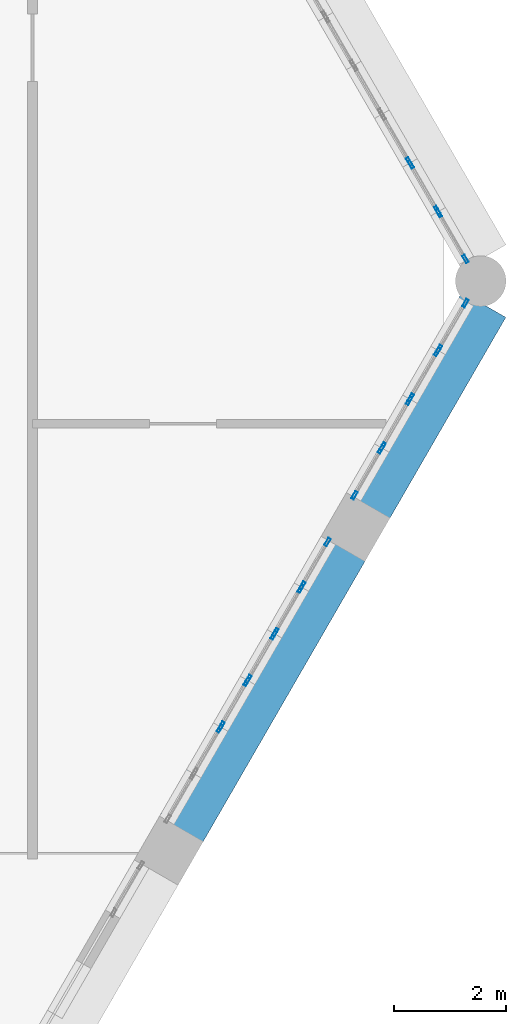
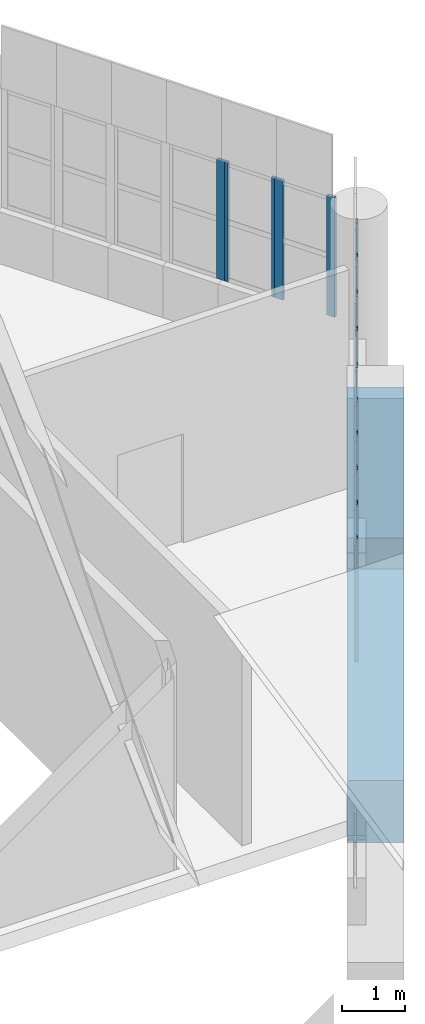
# One storey, part 10 of 25: 22 members, 2 beams, 12 elements without a shape of their own.
"""IFC4 building model written with IfcOpenShell, lengths in metres."""

from ifc_helpers import new_model, si_unit, direction, frame, origin, origin_2d, place, context, subcontext, project, spatial, rectangle, hollow_rectangle, extrude, material, material_profile, profile_set, type_object, element, aggregate, save


model = new_model("IFC4")

# Units and contexts
model_context = context("Model", 3, precision=1e-05, world=origin(), true_north=direction((0.0, 1.0)))
body_context = subcontext(model_context, "Body", "Model", "MODEL_VIEW")
ifc_project = project(units=[si_unit("LENGTHUNIT", "METRE"), si_unit("AREAUNIT", "SQUARE_METRE"), si_unit("VOLUMEUNIT", "CUBIC_METRE"), si_unit("PLANEANGLEUNIT", "RADIAN"), si_unit("MASSUNIT", "GRAM", prefix="KILO")], contexts=[model_context])

# Site, building, storey
site_placement = place(None, origin())
site = spatial("IfcSite", under=ifc_project, at=site_placement, CompositionType="ELEMENT")
building_placement = place(site_placement, origin())
building = spatial("IfcBuilding", under=site, at=building_placement, Name="Ostrander Bayou Hotel Tower", CompositionType="ELEMENT")
storey_placement = place(building_placement, frame((0.0, 0.0, 275.0)))
storey = spatial("IfcBuildingStorey", under=building, at=storey_placement, Name="L68", CompositionType="ELEMENT", Elevation=275.0)

# Curtain wall, member
ifc_material_1 = material(Name="Aluminium and clear glass", Category="aluminium")
curtain_wall_type = type_object("IfcCurtainWallType", Name="CW-CROWN glazed wall", PredefinedType="NOTDEFINED", material=ifc_material_1)
curtain_wall_1_placement = place(storey_placement, origin())
curtain_wall_1 = element("IfcCurtainWall", 1, at=curtain_wall_1_placement, inside=storey, type_object=curtain_wall_type, Name="CW-CROWN L68:SE-2-2", PredefinedType="NOTDEFINED")
ifc_material_2 = material(Name="Aluminium", Category="aluminium")
ifc_material_profile_1 = material_profile(ifc_material_2, hollow_rectangle(XDim=0.050048828125, YDim=0.14990234375, WallThickness=0.00390625, at=origin_2d()))
ifc_profile_set_1 = profile_set([ifc_material_profile_1], Name="Aluminium")
member_type = type_object("IfcMemberType", Name="CW-CR mullion 50 x 150 mm", PredefinedType="MULLION", material=ifc_profile_set_1)
member_1_placement = place(storey_placement, frame((13.837890625, -9.132080078125, 1.0), z_axis=(0.0, 0.0, 1.0), x_axis=(-0.866022491007, 0.500005045044, 0.0)))
member_1 = element("IfcMember", 2, at=member_1_placement, type_object=member_type, Name="CW-CROWN mullion 2", PredefinedType="MULLION", context=body_context, shape_type="SweptSolid", body=[
    extrude(hollow_rectangle(XDim=0.050048828125, YDim=0.14990234375, WallThickness=0.00390625, at=origin_2d()), origin(), (0.0, 0.0, 1.0), 2.300048828125),
])
aggregate(curtain_wall_1, [member_1])

# Curtain wall, members
curtain_wall_2_placement = place(storey_placement, origin())
curtain_wall_2 = element("IfcCurtainWall", 3, at=curtain_wall_2_placement, inside=storey, type_object=curtain_wall_type, Name="CW-CROWN L68:SE-2-3", PredefinedType="NOTDEFINED")
member_2_placement = place(storey_placement, frame((13.867919921875, -9.080322265625, 1.0), z_axis=(0.0, 0.0, 1.0), x_axis=(-0.866022491007, 0.500005045044, 0.0)))
member_2 = element("IfcMember", 4, at=member_2_placement, type_object=member_type, Name="CW-CROWN mullion 1", PredefinedType="MULLION", context=body_context, shape_type="SweptSolid", body=[
    extrude(hollow_rectangle(XDim=0.050048828125, YDim=0.14990234375, WallThickness=0.00390625, at=origin_2d()), origin(), (0.0, 0.0, 1.0), 2.300048828125),
])
member_3_placement = place(storey_placement, frame((14.317626953125, -8.301025390625, 1.0), z_axis=(0.0, 0.0, 1.0), x_axis=(-0.866022491007, 0.500005045044, 0.0)))
member_3 = element("IfcMember", 5, at=member_3_placement, type_object=member_type, Name="CW-CROWN mullion 2", PredefinedType="MULLION", context=body_context, shape_type="SweptSolid", body=[
    extrude(hollow_rectangle(XDim=0.050048828125, YDim=0.14990234375, WallThickness=0.00390625, at=origin_2d()), origin(), (0.0, 0.0, 1.0), 2.300048828125),
])
aggregate(curtain_wall_2, [member_2, member_3])

curtain_wall_3_placement = place(storey_placement, origin())
curtain_wall_3 = element("IfcCurtainWall", 6, at=curtain_wall_3_placement, inside=storey, type_object=curtain_wall_type, Name="CW-CROWN L68:SE-2-4", PredefinedType="NOTDEFINED")
member_4_placement = place(storey_placement, frame((14.34765625, -8.2490234375, 1.0), z_axis=(0.0, 0.0, 1.0), x_axis=(-0.866022491007, 0.500005045044, 0.0)))
member_4 = element("IfcMember", 7, at=member_4_placement, type_object=member_type, Name="CW-CROWN mullion 1", PredefinedType="MULLION", context=body_context, shape_type="SweptSolid", body=[
    extrude(hollow_rectangle(XDim=0.050048828125, YDim=0.14990234375, WallThickness=0.00390625, at=origin_2d()), origin(), (0.0, 0.0, 1.0), 2.300048828125),
])
member_5_placement = place(storey_placement, frame((14.797607421875, -7.4697265625, 1.0), z_axis=(0.0, 0.0, 1.0), x_axis=(-0.866022491007, 0.500005045044, 0.0)))
member_5 = element("IfcMember", 8, at=member_5_placement, type_object=member_type, Name="CW-CROWN mullion 2", PredefinedType="MULLION", context=body_context, shape_type="SweptSolid", body=[
    extrude(hollow_rectangle(XDim=0.050048828125, YDim=0.14990234375, WallThickness=0.00390625, at=origin_2d()), origin(), (0.0, 0.0, 1.0), 2.300048828125),
])
aggregate(curtain_wall_3, [member_4, member_5])

curtain_wall_4_placement = place(storey_placement, origin())
curtain_wall_4 = element("IfcCurtainWall", 9, at=curtain_wall_4_placement, inside=storey, type_object=curtain_wall_type, Name="CW-CROWN L68:SE-2-5", PredefinedType="NOTDEFINED")
member_6_placement = place(storey_placement, frame((14.82763671875, -7.417724609375, 1.0), z_axis=(0.0, 0.0, 1.0), x_axis=(-0.866022491007, 0.500005045044, 0.0)))
member_6 = element("IfcMember", 10, at=member_6_placement, type_object=member_type, Name="CW-CROWN mullion 1", PredefinedType="MULLION", context=body_context, shape_type="SweptSolid", body=[
    extrude(hollow_rectangle(XDim=0.050048828125, YDim=0.14990234375, WallThickness=0.00390625, at=origin_2d()), origin(), (0.0, 0.0, 1.0), 2.300048828125),
])
member_7_placement = place(storey_placement, frame((15.277587890625, -6.638671875, 1.0), z_axis=(0.0, 0.0, 1.0), x_axis=(-0.866022491007, 0.500005045044, 0.0)))
member_7 = element("IfcMember", 11, at=member_7_placement, type_object=member_type, Name="CW-CROWN mullion 2", PredefinedType="MULLION", context=body_context, shape_type="SweptSolid", body=[
    extrude(hollow_rectangle(XDim=0.050048828125, YDim=0.14990234375, WallThickness=0.00390625, at=origin_2d()), origin(), (0.0, 0.0, 1.0), 2.300048828125),
])
aggregate(curtain_wall_4, [member_6, member_7])

curtain_wall_5_placement = place(storey_placement, origin())
curtain_wall_5 = element("IfcCurtainWall", 12, at=curtain_wall_5_placement, inside=storey, type_object=curtain_wall_type, Name="CW-CROWN L68:SE-2-6", PredefinedType="NOTDEFINED")
member_8_placement = place(storey_placement, frame((15.3076171875, -6.586669921875, 1.0), z_axis=(0.0, 0.0, 1.0), x_axis=(-0.866022491007, 0.500005045044, 0.0)))
member_8 = element("IfcMember", 13, at=member_8_placement, type_object=member_type, Name="CW-CROWN mullion 1", PredefinedType="MULLION", context=body_context, shape_type="SweptSolid", body=[
    extrude(hollow_rectangle(XDim=0.050048828125, YDim=0.14990234375, WallThickness=0.00390625, at=origin_2d()), origin(), (0.0, 0.0, 1.0), 2.300048828125),
])
member_9_placement = place(storey_placement, frame((15.75732421875, -5.807373046875, 1.0), z_axis=(0.0, 0.0, 1.0), x_axis=(-0.866022491007, 0.500005045044, 0.0)))
member_9 = element("IfcMember", 14, at=member_9_placement, type_object=member_type, Name="CW-CROWN mullion 2", PredefinedType="MULLION", context=body_context, shape_type="SweptSolid", body=[
    extrude(hollow_rectangle(XDim=0.050048828125, YDim=0.14990234375, WallThickness=0.00390625, at=origin_2d()), origin(), (0.0, 0.0, 1.0), 2.300048828125),
])
aggregate(curtain_wall_5, [member_8, member_9])

curtain_wall_6_placement = place(storey_placement, origin())
curtain_wall_6 = element("IfcCurtainWall", 15, at=curtain_wall_6_placement, inside=storey, type_object=curtain_wall_type, Name="CW-CROWN L68:SE-3-1", PredefinedType="NOTDEFINED")
member_10_placement = place(storey_placement, frame((16.2373046875, -4.97607421875, 1.0), z_axis=(0.0, 0.0, 1.0), x_axis=(-0.866021344042, 0.500007031615, 0.0)))
member_10 = element("IfcMember", 16, at=member_10_placement, type_object=member_type, Name="CW-CROWN mullion 1", PredefinedType="MULLION", context=body_context, shape_type="SweptSolid", body=[
    extrude(hollow_rectangle(XDim=0.050048828125, YDim=0.14990234375, WallThickness=0.00390625, at=origin_2d()), origin(), (0.0, 0.0, 1.0), 2.300048828125),
])
member_11_placement = place(storey_placement, frame((16.709228515625, -4.15869140625, 1.0), z_axis=(0.0, 0.0, 1.0), x_axis=(-0.866021344042, 0.500007031615, 0.0)))
member_11 = element("IfcMember", 17, at=member_11_placement, type_object=member_type, Name="CW-CROWN mullion 2", PredefinedType="MULLION", context=body_context, shape_type="SweptSolid", body=[
    extrude(hollow_rectangle(XDim=0.050048828125, YDim=0.14990234375, WallThickness=0.00390625, at=origin_2d()), origin(), (0.0, 0.0, 1.0), 2.300048828125),
])
aggregate(curtain_wall_6, [member_10, member_11])

curtain_wall_7_placement = place(storey_placement, origin())
curtain_wall_7 = element("IfcCurtainWall", 18, at=curtain_wall_7_placement, inside=storey, type_object=curtain_wall_type, Name="CW-CROWN L68:SE-3-2", PredefinedType="NOTDEFINED")
member_12_placement = place(storey_placement, frame((16.7392578125, -4.106689453125, 1.0), z_axis=(0.0, 0.0, 1.0), x_axis=(-0.866046247237, 0.499963896343, 0.0)))
member_12 = element("IfcMember", 19, at=member_12_placement, type_object=member_type, Name="CW-CROWN mullion 1", PredefinedType="MULLION", context=body_context, shape_type="SweptSolid", body=[
    extrude(hollow_rectangle(XDim=0.050048828125, YDim=0.14990234375, WallThickness=0.00390625, at=origin_2d()), origin(), (0.0, 0.0, 1.0), 2.300048828125),
])
member_13_placement = place(storey_placement, frame((17.211181640625, -3.289306640625, 1.0), z_axis=(0.0, 0.0, 1.0), x_axis=(-0.866046247237, 0.499963896343, 0.0)))
member_13 = element("IfcMember", 20, at=member_13_placement, type_object=member_type, Name="CW-CROWN mullion 2", PredefinedType="MULLION", context=body_context, shape_type="SweptSolid", body=[
    extrude(hollow_rectangle(XDim=0.050048828125, YDim=0.14990234375, WallThickness=0.00390625, at=origin_2d()), origin(), (0.0, 0.0, 1.0), 2.300048828125),
])
aggregate(curtain_wall_7, [member_12, member_13])

curtain_wall_8_placement = place(storey_placement, origin())
curtain_wall_8 = element("IfcCurtainWall", 21, at=curtain_wall_8_placement, inside=storey, type_object=curtain_wall_type, Name="CW-CROWN L68:SE-3-3", PredefinedType="NOTDEFINED")
member_14_placement = place(storey_placement, frame((17.2412109375, -3.2373046875, 1.0), z_axis=(0.0, 0.0, 1.0), x_axis=(-0.866021344042, 0.500007031615, 0.0)))
member_14 = element("IfcMember", 22, at=member_14_placement, type_object=member_type, Name="CW-CROWN mullion 1", PredefinedType="MULLION", context=body_context, shape_type="SweptSolid", body=[
    extrude(hollow_rectangle(XDim=0.050048828125, YDim=0.14990234375, WallThickness=0.00390625, at=origin_2d()), origin(), (0.0, 0.0, 1.0), 2.300048828125),
])
member_15_placement = place(storey_placement, frame((17.713134765625, -2.419921875, 1.0), z_axis=(0.0, 0.0, 1.0), x_axis=(-0.866021344042, 0.500007031615, 0.0)))
member_15 = element("IfcMember", 23, at=member_15_placement, type_object=member_type, Name="CW-CROWN mullion 2", PredefinedType="MULLION", context=body_context, shape_type="SweptSolid", body=[
    extrude(hollow_rectangle(XDim=0.050048828125, YDim=0.14990234375, WallThickness=0.00390625, at=origin_2d()), origin(), (0.0, 0.0, 1.0), 2.300048828125),
])
aggregate(curtain_wall_8, [member_14, member_15])

curtain_wall_9_placement = place(storey_placement, origin())
curtain_wall_9 = element("IfcCurtainWall", 24, at=curtain_wall_9_placement, inside=storey, type_object=curtain_wall_type, Name="CW-CROWN L68:SE-3-4", PredefinedType="NOTDEFINED")
member_16_placement = place(storey_placement, frame((17.7431640625, -2.367919921875, 1.0), z_axis=(0.0, 0.0, 1.0), x_axis=(-0.866046247237, 0.499963896343, 0.0)))
member_16 = element("IfcMember", 25, at=member_16_placement, type_object=member_type, Name="CW-CROWN mullion 1", PredefinedType="MULLION", context=body_context, shape_type="SweptSolid", body=[
    extrude(hollow_rectangle(XDim=0.050048828125, YDim=0.14990234375, WallThickness=0.00390625, at=origin_2d()), origin(), (0.0, 0.0, 1.0), 2.300048828125),
])
member_17_placement = place(storey_placement, frame((18.215087890625, -1.550537109375, 1.0), z_axis=(0.0, 0.0, 1.0), x_axis=(-0.866046247237, 0.499963896343, 0.0)))
member_17 = element("IfcMember", 26, at=member_17_placement, type_object=member_type, Name="CW-CROWN mullion 2", PredefinedType="MULLION", context=body_context, shape_type="SweptSolid", body=[
    extrude(hollow_rectangle(XDim=0.050048828125, YDim=0.14990234375, WallThickness=0.00390625, at=origin_2d()), origin(), (0.0, 0.0, 1.0), 2.300048828125),
])
aggregate(curtain_wall_9, [member_16, member_17])

curtain_wall_10_placement = place(storey_placement, origin())
curtain_wall_10 = element("IfcCurtainWall", 27, at=curtain_wall_10_placement, inside=storey, type_object=curtain_wall_type, Name="CW-CROWN L68:NE-1-1", PredefinedType="NOTDEFINED")
member_18_placement = place(storey_placement, frame((18.215087890625, -0.76220703125, 1.0), z_axis=(0.0, 0.0, 1.0), x_axis=(-0.865976376875, -0.500084907485, 0.0)))
member_18 = element("IfcMember", 28, at=member_18_placement, type_object=member_type, Name="CW-CROWN mullion 1", PredefinedType="MULLION", context=body_context, shape_type="SweptSolid", body=[
    extrude(hollow_rectangle(XDim=0.050048828125, YDim=0.14990234375, WallThickness=0.00390625, at=origin_2d()), origin(), (0.0, 0.0, 1.0), 2.300048828125),
])
member_19_placement = place(storey_placement, frame((17.743408203125, 0.05419921875, 1.0), z_axis=(0.0, 0.0, 1.0), x_axis=(-0.865976376875, -0.500084907485, 0.0)))
member_19 = element("IfcMember", 29, at=member_19_placement, type_object=member_type, Name="CW-CROWN mullion 2", PredefinedType="MULLION", context=body_context, shape_type="SweptSolid", body=[
    extrude(hollow_rectangle(XDim=0.050048828125, YDim=0.14990234375, WallThickness=0.00390625, at=origin_2d()), origin(), (0.0, 0.0, 1.0), 2.300048828125),
])
aggregate(curtain_wall_10, [member_18, member_19])

curtain_wall_11_placement = place(storey_placement, origin())
curtain_wall_11 = element("IfcCurtainWall", 30, at=curtain_wall_11_placement, inside=storey, type_object=curtain_wall_type, Name="CW-CROWN L68:NE-1-2", PredefinedType="NOTDEFINED")
member_20_placement = place(storey_placement, frame((17.713623046875, 0.106201171875, 1.0), z_axis=(0.0, 0.0, 1.0), x_axis=(-0.866044474681, -0.499966966783, 0.0)))
member_20 = element("IfcMember", 31, at=member_20_placement, type_object=member_type, Name="CW-CROWN mullion 1", PredefinedType="MULLION", context=body_context, shape_type="SweptSolid", body=[
    extrude(hollow_rectangle(XDim=0.050048828125, YDim=0.14990234375, WallThickness=0.00390625, at=origin_2d()), origin(), (0.0, 0.0, 1.0), 2.300048828125),
])
member_21_placement = place(storey_placement, frame((17.241943359375, 0.923095703125, 1.0), z_axis=(0.0, 0.0, 1.0), x_axis=(-0.866044474681, -0.499966966783, 0.0)))
member_21 = element("IfcMember", 32, at=member_21_placement, type_object=member_type, Name="CW-CROWN mullion 2", PredefinedType="MULLION", context=body_context, shape_type="SweptSolid", body=[
    extrude(hollow_rectangle(XDim=0.050048828125, YDim=0.14990234375, WallThickness=0.00390625, at=origin_2d()), origin(), (0.0, 0.0, 1.0), 2.300048828125),
])
aggregate(curtain_wall_11, [member_20, member_21])

# Curtain wall, member
curtain_wall_12_placement = place(storey_placement, origin())
curtain_wall_12 = element("IfcCurtainWall", 33, at=curtain_wall_12_placement, inside=storey, type_object=curtain_wall_type, Name="CW-CROWN L68:NE-1-3", PredefinedType="NOTDEFINED")
member_22_placement = place(storey_placement, frame((17.2119140625, 0.97509765625, 1.0), z_axis=(0.0, 0.0, 1.0), x_axis=(-0.866044474681, -0.499966966783, 0.0)))
member_22 = element("IfcMember", 34, at=member_22_placement, type_object=member_type, Name="CW-CROWN mullion 1", PredefinedType="MULLION", context=body_context, shape_type="SweptSolid", body=[
    extrude(hollow_rectangle(XDim=0.050048828125, YDim=0.14990234375, WallThickness=0.00390625, at=origin_2d()), origin(), (0.0, 0.0, 1.0), 2.300048828125),
])
aggregate(curtain_wall_12, [member_22])

# Beams
ifc_material_3 = material(Name="Concrete f'c 60 MPa", Category="concrete")
ifc_material_profile_2 = material_profile(ifc_material_3, rectangle(XDim=0.89990234375, YDim=1.199951171875, at=origin_2d()))
ifc_profile_set_2 = profile_set([ifc_material_profile_2], Name="Concrete f'c 60 MPa")
beam_type = type_object("IfcBeamType", Name="SP4 spandrel beam 900 x 1200 mm f'c 60 MPa", PredefinedType="SPANDREL", material=ifc_profile_set_2)
beam_1_placement = place(storey_placement, frame((13.1376953125, -10.944580078125, -0.60009765625), z_axis=(0.500015433515, 0.866016493057, 0.0), x_axis=(-0.866016493057, 0.500015433515, 0.0)))
element("IfcBeam", 35, at=beam_1_placement, inside=storey, type_object=beam_type, Name="SP4 L68 SE-2", PredefinedType="SPANDREL", context=body_context, shape_type="SweptSolid", body=[
    extrude(rectangle(XDim=0.89990234375, YDim=1.199951171875, at=origin_2d()), origin(), (0.0, 0.0, 1.0), 5.818603515625),
])
beam_2_placement = place(storey_placement, frame((16.46728515625, -5.177978515625, -0.60009765625), z_axis=(0.499980071345, 0.866036909293, 0.0), x_axis=(-0.866036909293, 0.499980071345, 0.0)))
element("IfcBeam", 36, at=beam_2_placement, inside=storey, type_object=beam_type, Name="SP4 L68 SE-3", PredefinedType="SPANDREL", context=body_context, shape_type="SweptSolid", body=[
    extrude(rectangle(XDim=0.89990234375, YDim=1.199951171875, at=origin_2d()), origin(), (0.0, 0.0, 1.0), 4.156494140625),
])

save(model, "model.ifc")
